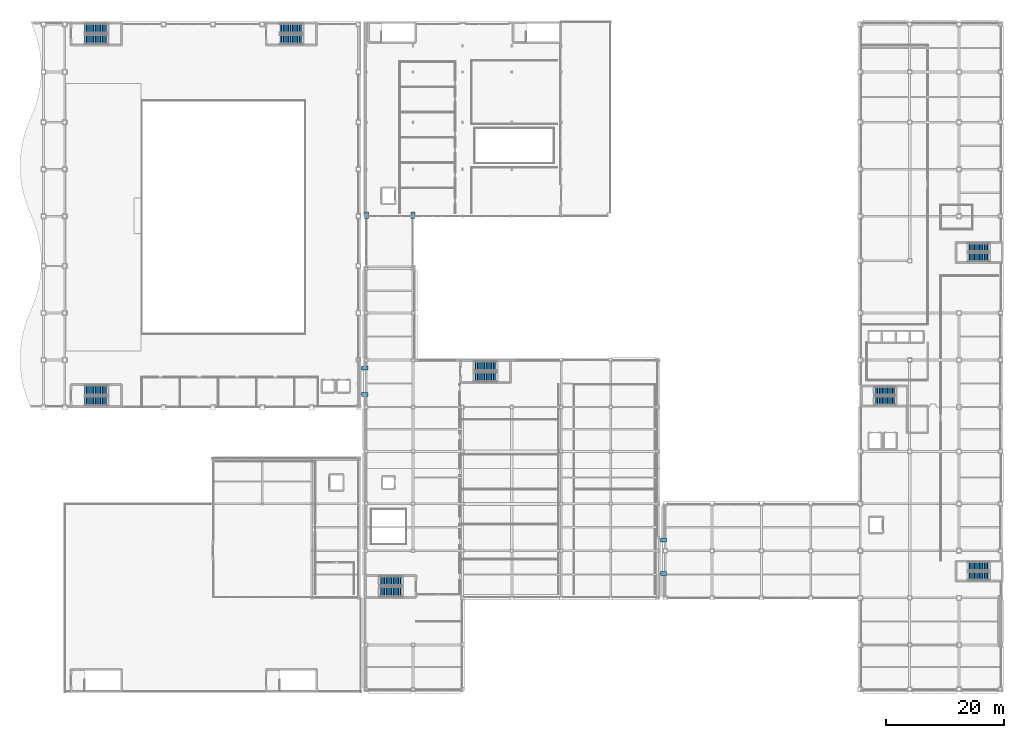
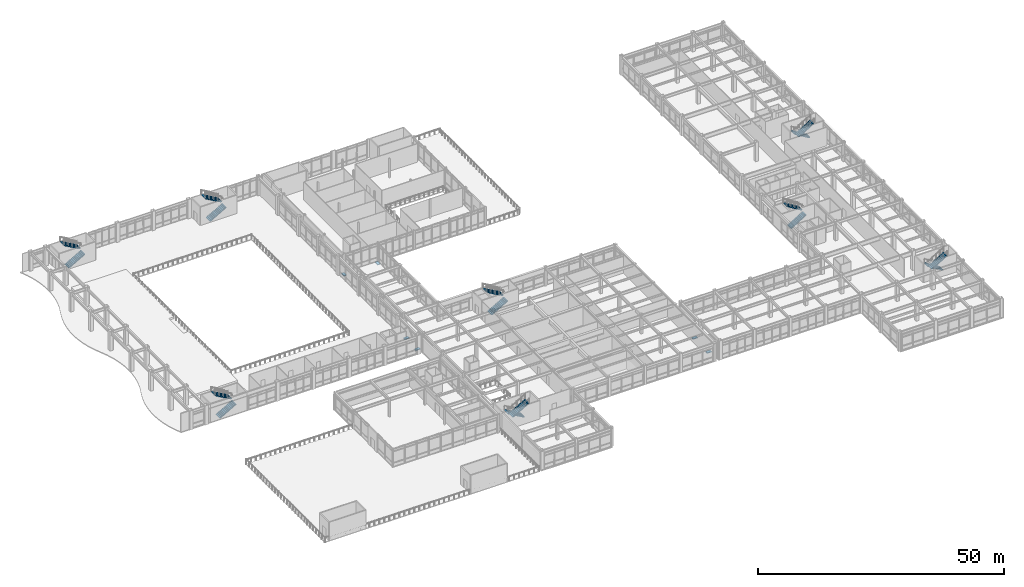
# One storey, part 138 of 154: 16 stair flights, 6 discrete accessories, 8 elements without a shape of their own.
"""IFC4 building model written with IfcOpenShell, lengths in metres."""

from ifc_helpers import new_model, si_unit, direction, frame, origin, origin_2d, place, context, subcontext, project, spatial, polyline, rectangle, outline, extrude, material, layer, layer_set, type_object, element, aggregate, save


model = new_model("IFC4")

# Units and contexts
model_context = context("Model", 3, precision=1e-05, world=origin(), true_north=direction((0.0, 1.0)))
body_context = subcontext(model_context, "Body", "Model", "MODEL_VIEW")
ifc_project = project(units=[si_unit("LENGTHUNIT", "METRE"), si_unit("AREAUNIT", "SQUARE_METRE"), si_unit("VOLUMEUNIT", "CUBIC_METRE"), si_unit("PLANEANGLEUNIT", "RADIAN"), si_unit("MASSUNIT", "GRAM", prefix="KILO")], contexts=[model_context])

# Site, building, storey
site_placement = place(None, origin())
site = spatial("IfcSite", under=ifc_project, at=site_placement, CompositionType="ELEMENT")
building_placement = place(site_placement, origin())
building = spatial("IfcBuilding", under=site, at=building_placement, Name="Kazehara Bluff Congress Hotel", CompositionType="ELEMENT")
storey_placement = place(building_placement, frame((0.0, 0.0, 10.199951171875)))
storey = spatial("IfcBuildingStorey", under=building, at=storey_placement, Name="L02", CompositionType="ELEMENT", Elevation=10.199951171875)

# Stair, stair flights
ifc_material_1 = material(Name="Concrete C36/45", Category="concrete")
stair_type_1 = type_object("IfcStairType", Name="TP-ST-T02", PredefinedType="HALF_TURN_STAIR", material=ifc_material_1)
stair_1_placement = place(storey_placement, origin())
stair_1 = element("IfcStair", 1, at=stair_1_placement, inside=storey, type_object=stair_type_1, Name="L02 Escape stair ST-01", PredefinedType="HALF_TURN_STAIR")
ifc_material_2 = material(Name="Concrete C36/45", Category="concrete")
stair_flight_type_1 = type_object("IfcStairFlightType", Name="TP-SF-T02", PredefinedType="STRAIGHT", material=ifc_material_2)
stair_flight_1_placement = place(storey_placement, frame((11.800048828125, 110.97509765625, 0.0), z_axis=(0.0, 0.0, 1.0), x_axis=(1.0, 0.0, 0.0)))
stair_flight_1 = element("IfcStairFlight", 2, at=stair_flight_1_placement, type_object=stair_flight_type_1, Name="ST-01 flight 1", NumberOfRisers=14, NumberOfTreads=13, PredefinedType="STRAIGHT", RiserHeight=0.171428571, TreadLength=0.3, context=body_context, shape_type="SweptSolid", body=[
    extrude(outline(polyline([(0.0, 0.0), (0.0, 0.17138671875), (0.300048828125, 0.17138671875), (0.300048828125, 0.3427734375), (0.60009765625, 0.3427734375), (0.60009765625, 0.514404296875), (0.89990234375, 0.514404296875), (0.89990234375, 0.685791015625), (1.199951171875, 0.685791015625), (1.199951171875, 0.857177734375), (1.5, 0.857177734375), (1.5, 1.028564453125), (1.800048828125, 1.028564453125), (1.800048828125, 1.199951171875), (2.10009765625, 1.199951171875), (2.10009765625, 1.371337890625), (2.39990234375, 1.371337890625), (2.39990234375, 1.54296875), (2.699951171875, 1.54296875), (2.699951171875, 1.71435546875), (3.0, 1.71435546875), (3.0, 1.8857421875), (3.300048828125, 1.8857421875), (3.300048828125, 2.05712890625), (3.60009765625, 2.05712890625), (3.60009765625, 2.228515625), (3.89990234375, 2.228515625), (3.89990234375, 2.39990234375), (3.89990234375, 2.04443359375), (0.322265625, 0.0), (0.0, 0.0)])), frame((0.0, 0.824951171875, 0.0), z_axis=(0.0, -1.0, 0.0), x_axis=(1.0, 0.0, 0.0)), (0.0, 0.0, 1.0), 1.64990234375),
])
stair_flight_2_placement = place(storey_placement, frame((15.699951171875, 112.824951171875, 2.400146484375), z_axis=(0.0, 0.0, 1.0), x_axis=(-1.0, 0.0, 0.0)))
stair_flight_2 = element("IfcStairFlight", 3, at=stair_flight_2_placement, type_object=stair_flight_type_1, Name="ST-01 flight 2", NumberOfRisers=14, NumberOfTreads=13, PredefinedType="STRAIGHT", RiserHeight=0.171428571, TreadLength=0.3, context=body_context, shape_type="SweptSolid", body=[
    extrude(outline(polyline([(0.0, 0.0), (0.0, 0.17138671875), (0.300048828125, 0.17138671875), (0.300048828125, 0.3427734375), (0.60009765625, 0.3427734375), (0.60009765625, 0.514404296875), (0.89990234375, 0.514404296875), (0.89990234375, 0.685791015625), (1.199951171875, 0.685791015625), (1.199951171875, 0.857177734375), (1.5, 0.857177734375), (1.5, 1.028564453125), (1.800048828125, 1.028564453125), (1.800048828125, 1.199951171875), (2.10009765625, 1.199951171875), (2.10009765625, 1.371337890625), (2.39990234375, 1.371337890625), (2.39990234375, 1.54296875), (2.699951171875, 1.54296875), (2.699951171875, 1.71435546875), (3.0, 1.71435546875), (3.0, 1.8857421875), (3.300048828125, 1.8857421875), (3.300048828125, 2.05712890625), (3.60009765625, 2.05712890625), (3.60009765625, 2.228515625), (3.89990234375, 2.228515625), (3.89990234375, 2.39990234375), (3.89990234375, 2.04443359375), (0.322265625, 0.0), (0.0, 0.0)])), frame((0.0, 0.824951171875, 0.0), z_axis=(0.0, -1.0, 0.0), x_axis=(1.0, 0.0, 0.0)), (0.0, 0.0, 1.0), 1.64990234375),
])
aggregate(stair_1, [stair_flight_1, stair_flight_2])

stair_2_placement = place(storey_placement, origin())
stair_2 = element("IfcStair", 4, at=stair_2_placement, inside=storey, type_object=stair_type_1, Name="L02 Escape stair ST-02", PredefinedType="HALF_TURN_STAIR")
stair_flight_3_placement = place(storey_placement, frame((45.0, 110.97509765625, 0.0), z_axis=(0.0, 0.0, 1.0), x_axis=(1.0, 0.0, 0.0)))
stair_flight_3 = element("IfcStairFlight", 5, at=stair_flight_3_placement, type_object=stair_flight_type_1, Name="ST-02 flight 1", NumberOfRisers=14, NumberOfTreads=13, PredefinedType="STRAIGHT", RiserHeight=0.171428571, TreadLength=0.3, context=body_context, shape_type="SweptSolid", body=[
    extrude(outline(polyline([(0.0, 0.0), (0.0, 0.17138671875), (0.300048828125, 0.17138671875), (0.300048828125, 0.3427734375), (0.60009765625, 0.3427734375), (0.60009765625, 0.514404296875), (0.89990234375, 0.514404296875), (0.89990234375, 0.685791015625), (1.199951171875, 0.685791015625), (1.199951171875, 0.857177734375), (1.5, 0.857177734375), (1.5, 1.028564453125), (1.800048828125, 1.028564453125), (1.800048828125, 1.199951171875), (2.10009765625, 1.199951171875), (2.10009765625, 1.371337890625), (2.39990234375, 1.371337890625), (2.39990234375, 1.54296875), (2.699951171875, 1.54296875), (2.699951171875, 1.71435546875), (3.0, 1.71435546875), (3.0, 1.8857421875), (3.300048828125, 1.8857421875), (3.300048828125, 2.05712890625), (3.60009765625, 2.05712890625), (3.60009765625, 2.228515625), (3.89990234375, 2.228515625), (3.89990234375, 2.39990234375), (3.89990234375, 2.04443359375), (0.322265625, 0.0), (0.0, 0.0)])), frame((0.0, 0.824951171875, 0.0), z_axis=(0.0, -1.0, 0.0), x_axis=(1.0, 0.0, 0.0)), (0.0, 0.0, 1.0), 1.64990234375),
])
stair_flight_4_placement = place(storey_placement, frame((48.89990234375, 112.824951171875, 2.400146484375), z_axis=(0.0, 0.0, 1.0), x_axis=(-1.0, 0.0, 0.0)))
stair_flight_4 = element("IfcStairFlight", 6, at=stair_flight_4_placement, type_object=stair_flight_type_1, Name="ST-02 flight 2", NumberOfRisers=14, NumberOfTreads=13, PredefinedType="STRAIGHT", RiserHeight=0.171428571, TreadLength=0.3, context=body_context, shape_type="SweptSolid", body=[
    extrude(outline(polyline([(0.0, 0.0), (0.0, 0.17138671875), (0.300048828125, 0.17138671875), (0.300048828125, 0.3427734375), (0.60009765625, 0.3427734375), (0.60009765625, 0.514404296875), (0.89990234375, 0.514404296875), (0.89990234375, 0.685791015625), (1.199951171875, 0.685791015625), (1.199951171875, 0.857177734375), (1.5, 0.857177734375), (1.5, 1.028564453125), (1.800048828125, 1.028564453125), (1.800048828125, 1.199951171875), (2.10009765625, 1.199951171875), (2.10009765625, 1.371337890625), (2.39990234375, 1.371337890625), (2.39990234375, 1.54296875), (2.699951171875, 1.54296875), (2.699951171875, 1.71435546875), (3.0, 1.71435546875), (3.0, 1.8857421875), (3.300048828125, 1.8857421875), (3.300048828125, 2.05712890625), (3.60009765625, 2.05712890625), (3.60009765625, 2.228515625), (3.89990234375, 2.228515625), (3.89990234375, 2.39990234375), (3.89990234375, 2.04443359375), (0.322265625, 0.0), (0.0, 0.0)])), frame((0.0, 0.824951171875, 0.0), z_axis=(0.0, -1.0, 0.0), x_axis=(1.0, 0.0, 0.0)), (0.0, 0.0, 1.0), 1.64990234375),
])
aggregate(stair_2, [stair_flight_3, stair_flight_4])

stair_3_placement = place(storey_placement, origin())
stair_3 = element("IfcStair", 7, at=stair_3_placement, inside=storey, type_object=stair_type_1, Name="L02 Escape stair ST-03", PredefinedType="HALF_TURN_STAIR")
stair_flight_5_placement = place(storey_placement, frame((11.800048828125, 49.47509765625, 0.0), z_axis=(0.0, 0.0, 1.0), x_axis=(1.0, 0.0, 0.0)))
stair_flight_5 = element("IfcStairFlight", 8, at=stair_flight_5_placement, type_object=stair_flight_type_1, Name="ST-03 flight 1", NumberOfRisers=14, NumberOfTreads=13, PredefinedType="STRAIGHT", RiserHeight=0.171428571, TreadLength=0.3, context=body_context, shape_type="SweptSolid", body=[
    extrude(outline(polyline([(0.0, 0.0), (0.0, 0.17138671875), (0.300048828125, 0.17138671875), (0.300048828125, 0.3427734375), (0.60009765625, 0.3427734375), (0.60009765625, 0.514404296875), (0.89990234375, 0.514404296875), (0.89990234375, 0.685791015625), (1.199951171875, 0.685791015625), (1.199951171875, 0.857177734375), (1.5, 0.857177734375), (1.5, 1.028564453125), (1.800048828125, 1.028564453125), (1.800048828125, 1.199951171875), (2.10009765625, 1.199951171875), (2.10009765625, 1.371337890625), (2.39990234375, 1.371337890625), (2.39990234375, 1.54296875), (2.699951171875, 1.54296875), (2.699951171875, 1.71435546875), (3.0, 1.71435546875), (3.0, 1.8857421875), (3.300048828125, 1.8857421875), (3.300048828125, 2.05712890625), (3.60009765625, 2.05712890625), (3.60009765625, 2.228515625), (3.89990234375, 2.228515625), (3.89990234375, 2.39990234375), (3.89990234375, 2.04443359375), (0.322265625, 0.0), (0.0, 0.0)])), frame((0.0, 0.824951171875, 0.0), z_axis=(0.0, -1.0, 0.0), x_axis=(1.0, 0.0, 0.0)), (0.0, 0.0, 1.0), 1.64990234375),
])
stair_flight_6_placement = place(storey_placement, frame((15.699951171875, 51.324951171875, 2.400146484375), z_axis=(0.0, 0.0, 1.0), x_axis=(-1.0, 0.0, 0.0)))
stair_flight_6 = element("IfcStairFlight", 9, at=stair_flight_6_placement, type_object=stair_flight_type_1, Name="ST-03 flight 2", NumberOfRisers=14, NumberOfTreads=13, PredefinedType="STRAIGHT", RiserHeight=0.171428571, TreadLength=0.3, context=body_context, shape_type="SweptSolid", body=[
    extrude(outline(polyline([(0.0, 0.0), (0.0, 0.17138671875), (0.300048828125, 0.17138671875), (0.300048828125, 0.3427734375), (0.60009765625, 0.3427734375), (0.60009765625, 0.514404296875), (0.89990234375, 0.514404296875), (0.89990234375, 0.685791015625), (1.199951171875, 0.685791015625), (1.199951171875, 0.857177734375), (1.5, 0.857177734375), (1.5, 1.028564453125), (1.800048828125, 1.028564453125), (1.800048828125, 1.199951171875), (2.10009765625, 1.199951171875), (2.10009765625, 1.371337890625), (2.39990234375, 1.371337890625), (2.39990234375, 1.54296875), (2.699951171875, 1.54296875), (2.699951171875, 1.71435546875), (3.0, 1.71435546875), (3.0, 1.8857421875), (3.300048828125, 1.8857421875), (3.300048828125, 2.05712890625), (3.60009765625, 2.05712890625), (3.60009765625, 2.228515625), (3.89990234375, 2.228515625), (3.89990234375, 2.39990234375), (3.89990234375, 2.04443359375), (0.322265625, 0.0), (0.0, 0.0)])), frame((0.0, 0.824951171875, 0.0), z_axis=(0.0, -1.0, 0.0), x_axis=(1.0, 0.0, 0.0)), (0.0, 0.0, 1.0), 1.64990234375),
])
aggregate(stair_3, [stair_flight_5, stair_flight_6])

stair_4_placement = place(storey_placement, origin())
stair_4 = element("IfcStair", 10, at=stair_4_placement, inside=storey, type_object=stair_type_1, Name="L02 Escape stair ST-08", PredefinedType="HALF_TURN_STAIR")
stair_flight_7_placement = place(storey_placement, frame((65.800048828125, 18.875, 0.0), z_axis=(0.0, 0.0, 1.0), x_axis=(-1.0, 0.0, 0.0)))
stair_flight_7 = element("IfcStairFlight", 11, at=stair_flight_7_placement, type_object=stair_flight_type_1, Name="ST-08 flight 1", NumberOfRisers=14, NumberOfTreads=13, PredefinedType="STRAIGHT", RiserHeight=0.171428571, TreadLength=0.3, context=body_context, shape_type="SweptSolid", body=[
    extrude(outline(polyline([(0.0, 0.0), (0.0, 0.17138671875), (0.300048828125, 0.17138671875), (0.300048828125, 0.3427734375), (0.60009765625, 0.3427734375), (0.60009765625, 0.514404296875), (0.89990234375, 0.514404296875), (0.89990234375, 0.685791015625), (1.199951171875, 0.685791015625), (1.199951171875, 0.857177734375), (1.5, 0.857177734375), (1.5, 1.028564453125), (1.800048828125, 1.028564453125), (1.800048828125, 1.199951171875), (2.10009765625, 1.199951171875), (2.10009765625, 1.371337890625), (2.39990234375, 1.371337890625), (2.39990234375, 1.54296875), (2.699951171875, 1.54296875), (2.699951171875, 1.71435546875), (3.0, 1.71435546875), (3.0, 1.8857421875), (3.300048828125, 1.8857421875), (3.300048828125, 2.05712890625), (3.60009765625, 2.05712890625), (3.60009765625, 2.228515625), (3.89990234375, 2.228515625), (3.89990234375, 2.39990234375), (3.89990234375, 2.04443359375), (0.322265625, 0.0), (0.0, 0.0)])), frame((0.0, 0.824951171875, 0.0), z_axis=(0.0, -1.0, 0.0), x_axis=(1.0, 0.0, 0.0)), (0.0, 0.0, 1.0), 1.64990234375),
])
stair_flight_8_placement = place(storey_placement, frame((61.89990234375, 17.02490234375, 2.400146484375), z_axis=(0.0, 0.0, 1.0), x_axis=(1.0, 0.0, 0.0)))
stair_flight_8 = element("IfcStairFlight", 12, at=stair_flight_8_placement, type_object=stair_flight_type_1, Name="ST-08 flight 2", NumberOfRisers=14, NumberOfTreads=13, PredefinedType="STRAIGHT", RiserHeight=0.171428571, TreadLength=0.3, context=body_context, shape_type="SweptSolid", body=[
    extrude(outline(polyline([(0.0, 0.0), (0.0, 0.17138671875), (0.300048828125, 0.17138671875), (0.300048828125, 0.3427734375), (0.60009765625, 0.3427734375), (0.60009765625, 0.514404296875), (0.89990234375, 0.514404296875), (0.89990234375, 0.685791015625), (1.199951171875, 0.685791015625), (1.199951171875, 0.857177734375), (1.5, 0.857177734375), (1.5, 1.028564453125), (1.800048828125, 1.028564453125), (1.800048828125, 1.199951171875), (2.10009765625, 1.199951171875), (2.10009765625, 1.371337890625), (2.39990234375, 1.371337890625), (2.39990234375, 1.54296875), (2.699951171875, 1.54296875), (2.699951171875, 1.71435546875), (3.0, 1.71435546875), (3.0, 1.8857421875), (3.300048828125, 1.8857421875), (3.300048828125, 2.05712890625), (3.60009765625, 2.05712890625), (3.60009765625, 2.228515625), (3.89990234375, 2.228515625), (3.89990234375, 2.39990234375), (3.89990234375, 2.04443359375), (0.322265625, 0.0), (0.0, 0.0)])), frame((0.0, 0.824951171875, 0.0), z_axis=(0.0, -1.0, 0.0), x_axis=(1.0, 0.0, 0.0)), (0.0, 0.0, 1.0), 1.64990234375),
])
aggregate(stair_4, [stair_flight_7, stair_flight_8])

stair_5_placement = place(storey_placement, origin())
stair_5 = element("IfcStair", 13, at=stair_5_placement, inside=storey, type_object=stair_type_1, Name="L02 Escape stair ST-09", PredefinedType="HALF_TURN_STAIR")
stair_flight_9_placement = place(storey_placement, frame((78.0, 53.574951171875, 0.0), z_axis=(0.0, 0.0, 1.0), x_axis=(1.0, 0.0, 0.0)))
stair_flight_9 = element("IfcStairFlight", 14, at=stair_flight_9_placement, type_object=stair_flight_type_1, Name="ST-09 flight 1", NumberOfRisers=14, NumberOfTreads=13, PredefinedType="STRAIGHT", RiserHeight=0.171428571, TreadLength=0.3, context=body_context, shape_type="SweptSolid", body=[
    extrude(outline(polyline([(0.0, 0.0), (0.0, 0.17138671875), (0.300048828125, 0.17138671875), (0.300048828125, 0.3427734375), (0.60009765625, 0.3427734375), (0.60009765625, 0.514404296875), (0.89990234375, 0.514404296875), (0.89990234375, 0.685791015625), (1.199951171875, 0.685791015625), (1.199951171875, 0.857177734375), (1.5, 0.857177734375), (1.5, 1.028564453125), (1.800048828125, 1.028564453125), (1.800048828125, 1.199951171875), (2.10009765625, 1.199951171875), (2.10009765625, 1.371337890625), (2.39990234375, 1.371337890625), (2.39990234375, 1.54296875), (2.699951171875, 1.54296875), (2.699951171875, 1.71435546875), (3.0, 1.71435546875), (3.0, 1.8857421875), (3.300048828125, 1.8857421875), (3.300048828125, 2.05712890625), (3.60009765625, 2.05712890625), (3.60009765625, 2.228515625), (3.89990234375, 2.228515625), (3.89990234375, 2.39990234375), (3.89990234375, 2.04443359375), (0.322265625, 0.0), (0.0, 0.0)])), frame((0.0, 0.824951171875, 0.0), z_axis=(0.0, -1.0, 0.0), x_axis=(1.0, 0.0, 0.0)), (0.0, 0.0, 1.0), 1.64990234375),
])
stair_flight_10_placement = place(storey_placement, frame((81.89990234375, 55.425048828125, 2.400146484375), z_axis=(0.0, 0.0, 1.0), x_axis=(-1.0, 0.0, 0.0)))
stair_flight_10 = element("IfcStairFlight", 15, at=stair_flight_10_placement, type_object=stair_flight_type_1, Name="ST-09 flight 2", NumberOfRisers=14, NumberOfTreads=13, PredefinedType="STRAIGHT", RiserHeight=0.171428571, TreadLength=0.3, context=body_context, shape_type="SweptSolid", body=[
    extrude(outline(polyline([(0.0, 0.0), (0.0, 0.17138671875), (0.300048828125, 0.17138671875), (0.300048828125, 0.3427734375), (0.60009765625, 0.3427734375), (0.60009765625, 0.514404296875), (0.89990234375, 0.514404296875), (0.89990234375, 0.685791015625), (1.199951171875, 0.685791015625), (1.199951171875, 0.857177734375), (1.5, 0.857177734375), (1.5, 1.028564453125), (1.800048828125, 1.028564453125), (1.800048828125, 1.199951171875), (2.10009765625, 1.199951171875), (2.10009765625, 1.371337890625), (2.39990234375, 1.371337890625), (2.39990234375, 1.54296875), (2.699951171875, 1.54296875), (2.699951171875, 1.71435546875), (3.0, 1.71435546875), (3.0, 1.8857421875), (3.300048828125, 1.8857421875), (3.300048828125, 2.05712890625), (3.60009765625, 2.05712890625), (3.60009765625, 2.228515625), (3.89990234375, 2.228515625), (3.89990234375, 2.39990234375), (3.89990234375, 2.04443359375), (0.322265625, 0.0), (0.0, 0.0)])), frame((0.0, 0.824951171875, 0.0), z_axis=(0.0, -1.0, 0.0), x_axis=(1.0, 0.0, 0.0)), (0.0, 0.0, 1.0), 1.64990234375),
])
aggregate(stair_5, [stair_flight_9, stair_flight_10])

ifc_material_3 = material(Name="Concrete C36/45", Category="concrete")
stair_type_2 = type_object("IfcStairType", Name="TP-ST-T04", PredefinedType="HALF_TURN_STAIR", material=ifc_material_3)
stair_6_placement = place(storey_placement, origin())
stair_6 = element("IfcStair", 16, at=stair_6_placement, inside=storey, type_object=stair_type_2, Name="L02 Escape stair ST-10", PredefinedType="HALF_TURN_STAIR")
ifc_material_4 = material(Name="Concrete C36/45", Category="concrete")
stair_flight_type_2 = type_object("IfcStairFlightType", Name="TP-SF-T04", PredefinedType="STRAIGHT", material=ifc_material_4)
stair_flight_11_placement = place(storey_placement, frame((165.64990234375, 21.375, 0.0), z_axis=(0.0, 0.0, 1.0), x_axis=(-1.0, 0.0, 0.0)))
stair_flight_11 = element("IfcStairFlight", 17, at=stair_flight_11_placement, type_object=stair_flight_type_2, Name="ST-10 flight 1", NumberOfRisers=14, NumberOfTreads=13, PredefinedType="STRAIGHT", RiserHeight=0.171428571, TreadLength=0.28, context=body_context, shape_type="SweptSolid", body=[
    extrude(outline(polyline([(0.0, 0.0), (0.0, 0.17138671875), (0.280029296875, 0.17138671875), (0.280029296875, 0.3427734375), (0.56005859375, 0.3427734375), (0.56005859375, 0.514404296875), (0.840087890625, 0.514404296875), (0.840087890625, 0.685791015625), (1.1201171875, 0.685791015625), (1.1201171875, 0.857177734375), (1.39990234375, 0.857177734375), (1.39990234375, 1.028564453125), (1.679931640625, 1.028564453125), (1.679931640625, 1.199951171875), (1.9599609375, 1.199951171875), (1.9599609375, 1.371337890625), (2.239990234375, 1.371337890625), (2.239990234375, 1.54296875), (2.52001953125, 1.54296875), (2.52001953125, 1.71435546875), (2.800048828125, 1.71435546875), (2.800048828125, 1.8857421875), (3.080078125, 1.8857421875), (3.080078125, 2.05712890625), (3.360107421875, 2.05712890625), (3.360107421875, 2.228515625), (3.639892578125, 2.228515625), (3.639892578125, 2.39990234375), (3.639892578125, 2.041015625), (0.30615234375, 0.0), (0.0, 0.0)])), frame((0.0, 0.72509765625, 0.0), z_axis=(0.0, -1.0, 0.0), x_axis=(1.0, 0.0, 0.0)), (0.0, 0.0, 1.0), 1.449951171875),
])
stair_flight_12_placement = place(storey_placement, frame((162.010009765625, 19.72509765625, 2.400146484375), z_axis=(0.0, 0.0, 1.0), x_axis=(1.0, 0.0, 0.0)))
stair_flight_12 = element("IfcStairFlight", 18, at=stair_flight_12_placement, type_object=stair_flight_type_2, Name="ST-10 flight 2", NumberOfRisers=14, NumberOfTreads=13, PredefinedType="STRAIGHT", RiserHeight=0.171428571, TreadLength=0.28, context=body_context, shape_type="SweptSolid", body=[
    extrude(outline(polyline([(0.0, 0.0), (0.0, 0.17138671875), (0.280029296875, 0.17138671875), (0.280029296875, 0.3427734375), (0.56005859375, 0.3427734375), (0.56005859375, 0.514404296875), (0.840087890625, 0.514404296875), (0.840087890625, 0.685791015625), (1.1201171875, 0.685791015625), (1.1201171875, 0.857177734375), (1.39990234375, 0.857177734375), (1.39990234375, 1.028564453125), (1.679931640625, 1.028564453125), (1.679931640625, 1.199951171875), (1.9599609375, 1.199951171875), (1.9599609375, 1.371337890625), (2.239990234375, 1.371337890625), (2.239990234375, 1.54296875), (2.52001953125, 1.54296875), (2.52001953125, 1.71435546875), (2.800048828125, 1.71435546875), (2.800048828125, 1.8857421875), (3.080078125, 1.8857421875), (3.080078125, 2.05712890625), (3.360107421875, 2.05712890625), (3.360107421875, 2.228515625), (3.639892578125, 2.228515625), (3.639892578125, 2.39990234375), (3.639892578125, 2.041015625), (0.30615234375, 0.0), (0.0, 0.0)])), frame((0.0, 0.72509765625, 0.0), z_axis=(0.0, -1.0, 0.0), x_axis=(1.0, 0.0, 0.0)), (0.0, 0.0, 1.0), 1.449951171875),
])
aggregate(stair_6, [stair_flight_11, stair_flight_12])

stair_7_placement = place(storey_placement, origin())
stair_7 = element("IfcStair", 19, at=stair_7_placement, inside=storey, type_object=stair_type_2, Name="L02 Escape stair ST-11", PredefinedType="HALF_TURN_STAIR")
stair_flight_13_placement = place(storey_placement, frame((146.10009765625, 49.52490234375, 0.0), z_axis=(0.0, 0.0, 1.0), x_axis=(1.0, 0.0, 0.0)))
stair_flight_13 = element("IfcStairFlight", 20, at=stair_flight_13_placement, type_object=stair_flight_type_2, Name="ST-11 flight 1", NumberOfRisers=14, NumberOfTreads=13, PredefinedType="STRAIGHT", RiserHeight=0.171428571, TreadLength=0.28, context=body_context, shape_type="SweptSolid", body=[
    extrude(outline(polyline([(0.0, 0.0), (0.0, 0.17138671875), (0.280029296875, 0.17138671875), (0.280029296875, 0.3427734375), (0.56005859375, 0.3427734375), (0.56005859375, 0.514404296875), (0.840087890625, 0.514404296875), (0.840087890625, 0.685791015625), (1.1201171875, 0.685791015625), (1.1201171875, 0.857177734375), (1.39990234375, 0.857177734375), (1.39990234375, 1.028564453125), (1.679931640625, 1.028564453125), (1.679931640625, 1.199951171875), (1.9599609375, 1.199951171875), (1.9599609375, 1.371337890625), (2.239990234375, 1.371337890625), (2.239990234375, 1.54296875), (2.52001953125, 1.54296875), (2.52001953125, 1.71435546875), (2.800048828125, 1.71435546875), (2.800048828125, 1.8857421875), (3.080078125, 1.8857421875), (3.080078125, 2.05712890625), (3.360107421875, 2.05712890625), (3.360107421875, 2.228515625), (3.639892578125, 2.228515625), (3.639892578125, 2.39990234375), (3.639892578125, 2.041015625), (0.30615234375, 0.0), (0.0, 0.0)])), frame((0.0, 0.72509765625, 0.0), z_axis=(0.0, -1.0, 0.0), x_axis=(1.0, 0.0, 0.0)), (0.0, 0.0, 1.0), 1.449951171875),
])
stair_flight_14_placement = place(storey_placement, frame((149.739990234375, 51.175048828125, 2.400146484375), z_axis=(0.0, 0.0, 1.0), x_axis=(-1.0, 0.0, 0.0)))
stair_flight_14 = element("IfcStairFlight", 21, at=stair_flight_14_placement, type_object=stair_flight_type_2, Name="ST-11 flight 2", NumberOfRisers=14, NumberOfTreads=13, PredefinedType="STRAIGHT", RiserHeight=0.171428571, TreadLength=0.28, context=body_context, shape_type="SweptSolid", body=[
    extrude(outline(polyline([(0.0, 0.0), (0.0, 0.17138671875), (0.280029296875, 0.17138671875), (0.280029296875, 0.3427734375), (0.56005859375, 0.3427734375), (0.56005859375, 0.514404296875), (0.840087890625, 0.514404296875), (0.840087890625, 0.685791015625), (1.1201171875, 0.685791015625), (1.1201171875, 0.857177734375), (1.39990234375, 0.857177734375), (1.39990234375, 1.028564453125), (1.679931640625, 1.028564453125), (1.679931640625, 1.199951171875), (1.9599609375, 1.199951171875), (1.9599609375, 1.371337890625), (2.239990234375, 1.371337890625), (2.239990234375, 1.54296875), (2.52001953125, 1.54296875), (2.52001953125, 1.71435546875), (2.800048828125, 1.71435546875), (2.800048828125, 1.8857421875), (3.080078125, 1.8857421875), (3.080078125, 2.05712890625), (3.360107421875, 2.05712890625), (3.360107421875, 2.228515625), (3.639892578125, 2.228515625), (3.639892578125, 2.39990234375), (3.639892578125, 2.041015625), (0.30615234375, 0.0), (0.0, 0.0)])), frame((0.0, 0.72509765625, 0.0), z_axis=(0.0, -1.0, 0.0), x_axis=(1.0, 0.0, 0.0)), (0.0, 0.0, 1.0), 1.449951171875),
])
aggregate(stair_7, [stair_flight_13, stair_flight_14])

stair_8_placement = place(storey_placement, origin())
stair_8 = element("IfcStair", 22, at=stair_8_placement, inside=storey, type_object=stair_type_2, Name="L02 Escape stair ST-12", PredefinedType="HALF_TURN_STAIR")
stair_flight_15_placement = place(storey_placement, frame((165.64990234375, 75.574951171875, 0.0), z_axis=(0.0, 0.0, 1.0), x_axis=(-1.0, 0.0, 0.0)))
stair_flight_15 = element("IfcStairFlight", 23, at=stair_flight_15_placement, type_object=stair_flight_type_2, Name="ST-12 flight 1", NumberOfRisers=14, NumberOfTreads=13, PredefinedType="STRAIGHT", RiserHeight=0.171428571, TreadLength=0.28, context=body_context, shape_type="SweptSolid", body=[
    extrude(outline(polyline([(0.0, 0.0), (0.0, 0.17138671875), (0.280029296875, 0.17138671875), (0.280029296875, 0.3427734375), (0.56005859375, 0.3427734375), (0.56005859375, 0.514404296875), (0.840087890625, 0.514404296875), (0.840087890625, 0.685791015625), (1.1201171875, 0.685791015625), (1.1201171875, 0.857177734375), (1.39990234375, 0.857177734375), (1.39990234375, 1.028564453125), (1.679931640625, 1.028564453125), (1.679931640625, 1.199951171875), (1.9599609375, 1.199951171875), (1.9599609375, 1.371337890625), (2.239990234375, 1.371337890625), (2.239990234375, 1.54296875), (2.52001953125, 1.54296875), (2.52001953125, 1.71435546875), (2.800048828125, 1.71435546875), (2.800048828125, 1.8857421875), (3.080078125, 1.8857421875), (3.080078125, 2.05712890625), (3.360107421875, 2.05712890625), (3.360107421875, 2.228515625), (3.639892578125, 2.228515625), (3.639892578125, 2.39990234375), (3.639892578125, 2.041015625), (0.30615234375, 0.0), (0.0, 0.0)])), frame((0.0, 0.72509765625, 0.0), z_axis=(0.0, -1.0, 0.0), x_axis=(1.0, 0.0, 0.0)), (0.0, 0.0, 1.0), 1.449951171875),
])
stair_flight_16_placement = place(storey_placement, frame((162.010009765625, 73.925048828125, 2.400146484375), z_axis=(0.0, 0.0, 1.0), x_axis=(1.0, 0.0, 0.0)))
stair_flight_16 = element("IfcStairFlight", 24, at=stair_flight_16_placement, type_object=stair_flight_type_2, Name="ST-12 flight 2", NumberOfRisers=14, NumberOfTreads=13, PredefinedType="STRAIGHT", RiserHeight=0.171428571, TreadLength=0.28, context=body_context, shape_type="SweptSolid", body=[
    extrude(outline(polyline([(0.0, 0.0), (0.0, 0.17138671875), (0.280029296875, 0.17138671875), (0.280029296875, 0.3427734375), (0.56005859375, 0.3427734375), (0.56005859375, 0.514404296875), (0.840087890625, 0.514404296875), (0.840087890625, 0.685791015625), (1.1201171875, 0.685791015625), (1.1201171875, 0.857177734375), (1.39990234375, 0.857177734375), (1.39990234375, 1.028564453125), (1.679931640625, 1.028564453125), (1.679931640625, 1.199951171875), (1.9599609375, 1.199951171875), (1.9599609375, 1.371337890625), (2.239990234375, 1.371337890625), (2.239990234375, 1.54296875), (2.52001953125, 1.54296875), (2.52001953125, 1.71435546875), (2.800048828125, 1.71435546875), (2.800048828125, 1.8857421875), (3.080078125, 1.8857421875), (3.080078125, 2.05712890625), (3.360107421875, 2.05712890625), (3.360107421875, 2.228515625), (3.639892578125, 2.228515625), (3.639892578125, 2.39990234375), (3.639892578125, 2.041015625), (0.30615234375, 0.0), (0.0, 0.0)])), frame((0.0, 0.72509765625, 0.0), z_axis=(0.0, -1.0, 0.0), x_axis=(1.0, 0.0, 0.0)), (0.0, 0.0, 1.0), 1.449951171875),
])
aggregate(stair_8, [stair_flight_15, stair_flight_16])

# Discrete accessories
ifc_material_5 = material(Name="Steel SN490B", Category="steel")
ifc_layer = layer(ifc_material_5, 0.179931640625)
ifc_layer_set = layer_set([ifc_layer], Name="Steel SN490B")
discrete_accessory_type = type_object("IfcDiscreteAccessoryType", Name="TP-SJ-BRG", PredefinedType="BRACKET", material=ifc_layer_set)
for number, where, z_axis, x_axis, name in (
    (25, (59.389892578125, 50.60009765625, -0.6796875), (0.0, 0.0, 1.0), (1.0, 0.0, 0.0), "PTFE sliding bearing SJ-BRG BRG-14 L02-1"),
    (26, (59.389892578125, 55.10009765625, -0.6796875), (0.0, 0.0, 1.0), (1.0, 0.0, 0.0), "PTFE sliding bearing SJ-BRG BRG-14 L02-2"),
):
    element("IfcDiscreteAccessory", number, at=place(storey_placement, frame(where, z_axis=z_axis, x_axis=x_axis)), inside=storey, type_object=discrete_accessory_type, Name=name, PredefinedType="BRACKET", context=body_context, shape_type="SweptSolid", body=[
        extrude(rectangle(XDim=1.10009765625, YDim=0.64990234375, at=origin_2d()), origin(), (0.0, 0.0, 1.0), 0.179931640625),
    ])
for number, where, z_axis, x_axis, name in (
    (27, (59.699951171875, 81.0400390625, -0.6796875), (0.0, 0.0, 1.0), (1.0, 0.0, 0.0), "PTFE sliding bearing SJ-BRG BRG-34 L02-1"),
    (28, (67.64990234375, 81.0400390625, -0.6796875), (0.0, 0.0, 1.0), (1.0, 0.0, 0.0), "PTFE sliding bearing SJ-BRG BRG-34 L02-2"),
):
    element("IfcDiscreteAccessory", number, at=place(storey_placement, frame(where, z_axis=z_axis, x_axis=x_axis)), inside=storey, type_object=discrete_accessory_type, Name=name, PredefinedType="BRACKET", context=body_context, shape_type="SweptSolid", body=[
        extrude(rectangle(XDim=0.64990234375, YDim=1.10009765625, at=origin_2d()), origin(), (0.0, 0.0, 1.0), 0.179931640625),
    ])
for number, where, z_axis, x_axis, name in (
    (29, (110.239990234375, 20.14990234375, -0.6796875), (0.0, 0.0, 1.0), (1.0, 0.0, 0.0), "PTFE sliding bearing SJ-BRG BRG-45 L02-1"),
    (30, (110.239990234375, 25.85009765625, -0.6796875), (0.0, 0.0, 1.0), (1.0, 0.0, 0.0), "PTFE sliding bearing SJ-BRG BRG-45 L02-2"),
):
    element("IfcDiscreteAccessory", number, at=place(storey_placement, frame(where, z_axis=z_axis, x_axis=x_axis)), inside=storey, type_object=discrete_accessory_type, Name=name, PredefinedType="BRACKET", context=body_context, shape_type="SweptSolid", body=[
        extrude(rectangle(XDim=1.10009765625, YDim=0.64990234375, at=origin_2d()), origin(), (0.0, 0.0, 1.0), 0.179931640625),
    ])

save(model, "model.ifc")
